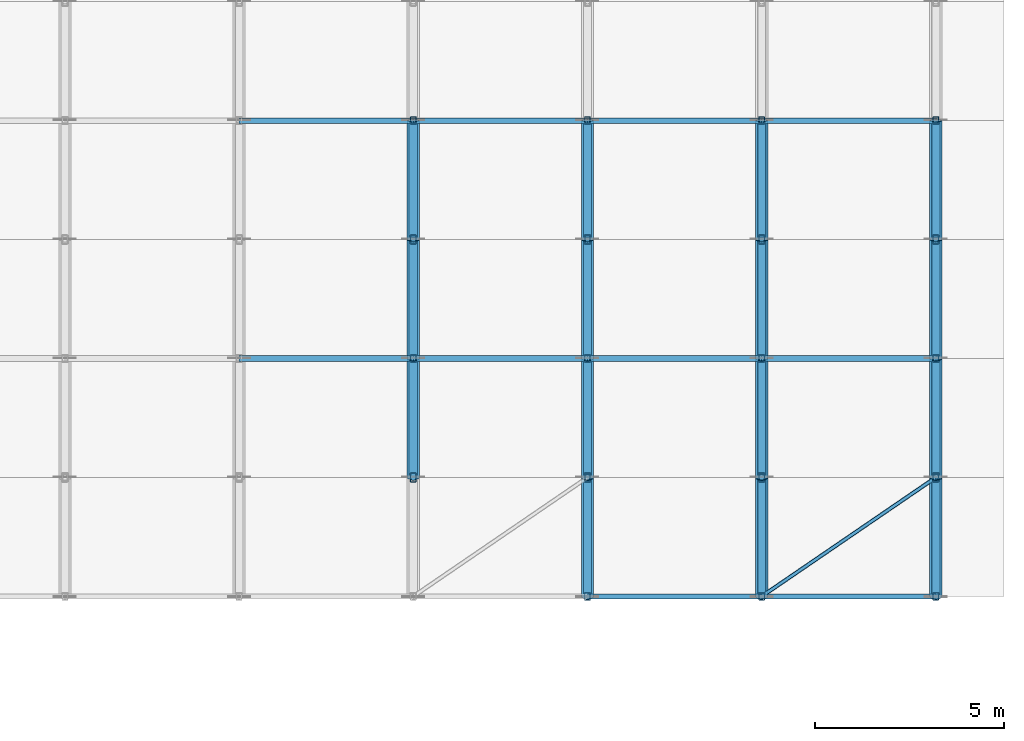
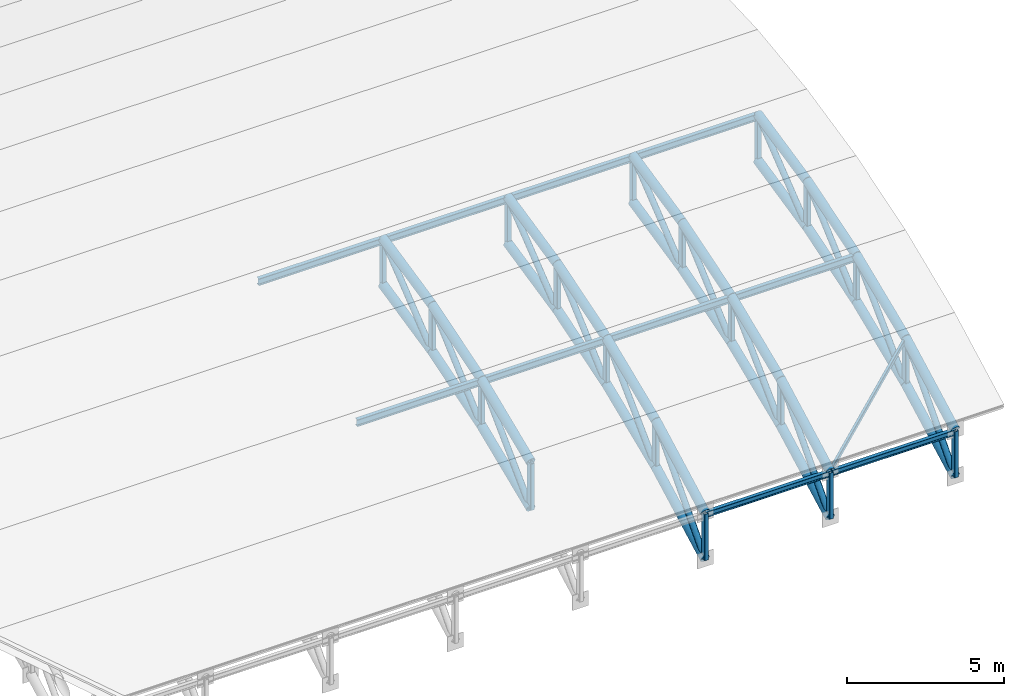
# One storey, part 40 of 98: 75 members.
"""IFC4 building model written with IfcOpenShell, lengths in metres."""

from ifc_helpers import new_model, si_unit, direction, frame, origin, origin_2d, place, context, subcontext, project, spatial, hollow_rectangle, hollow_circle, i_section, extrude, material, material_profile, profile_set, type_object, element, save


model = new_model("IFC4")

# Units and contexts
model_context = context("Model", 3, precision=1e-05, world=origin(), true_north=direction((0.0, 1.0)))
body_context = subcontext(model_context, "Body", "Model", "MODEL_VIEW")
ifc_project = project(units=[si_unit("LENGTHUNIT", "METRE"), si_unit("AREAUNIT", "SQUARE_METRE"), si_unit("VOLUMEUNIT", "CUBIC_METRE"), si_unit("PLANEANGLEUNIT", "RADIAN"), si_unit("MASSUNIT", "GRAM", prefix="KILO")], contexts=[model_context])

# Site, building, storey
site_placement = place(None, origin())
site = spatial("IfcSite", under=ifc_project, at=site_placement, CompositionType="ELEMENT")
building_placement = place(site_placement, origin())
building = spatial("IfcBuilding", under=site, at=building_placement, Name="Tlacozan Convention Centre", CompositionType="ELEMENT")
storey_placement = place(building_placement, frame((0.0, 0.0, 25.800048828125)))
storey = spatial("IfcBuildingStorey", under=building, at=storey_placement, Name="Roof", CompositionType="ELEMENT", Elevation=25.800048828125)

# Members
ifc_material_1 = material(Name="Steel ASTM A992 Grade 50", Category="steel")
ifc_material_profile_1 = material_profile(ifc_material_1, i_section(OverallWidth=0.14697265625, OverallDepth=0.261962890625, WebThickness=0.006591796875, FlangeThickness=0.01123046875, FilletRadius=0.008056640625, at=origin_2d()), Name="IR 254x38.5")
ifc_profile_set_1 = profile_set([ifc_material_profile_1], Name="Steel ASTM A992 Grade 50")
member_type_1 = type_object("IfcMemberType", Name="Plenary Acoustic Purlin IR 254x38.5", PredefinedType="PURLIN", material=ifc_profile_set_1)
for number, where, z_axis, x_axis, name in (
    (1, (159.800048828125, 24.783203125, -3.87939453125), (1.0, 0.0, 0.0), (0.0, 1.0, 0.0), "V3A Roof Truss Purlin 4.3"),
    (2, (159.800048828125, 31.066650390625, -2.2060546875), (1.0, 0.0, 0.0), (0.0, 1.0, 0.0), "V3A Roof Truss Purlin 4.5"),
):
    element("IfcMember", number, at=place(storey_placement, frame(where, z_axis=z_axis, x_axis=x_axis)), inside=storey, type_object=member_type_1, Name=name, PredefinedType="PURLIN", context=body_context, shape_type="SweptSolid", body=[
        extrude(i_section(OverallWidth=0.14697265625, OverallDepth=0.261962890625, WebThickness=0.006591796875, FlangeThickness=0.01123046875, FilletRadius=0.008056640625, at=origin_2d()), origin(), (0.0, 0.0, 1.0), 4.599853515625),
    ])
for number, where, z_axis, x_axis, name in (
    (3, (164.39990234375, 24.783203125, -3.87939453125), (1.0, 0.0, 0.0), (0.0, 1.0, 0.0), "V3A Roof Truss Purlin 5.3"),
    (4, (164.39990234375, 31.066650390625, -2.2060546875), (1.0, 0.0, 0.0), (0.0, 1.0, 0.0), "V3A Roof Truss Purlin 5.5"),
    (5, (169.0, 24.783203125, -3.87939453125), (1.0, 0.0, 0.0), (0.0, 1.0, 0.0), "V3A Roof Truss Purlin 6.3"),
    (6, (169.0, 31.066650390625, -2.2060546875), (1.0, 0.0, 0.0), (0.0, 1.0, 0.0), "V3A Roof Truss Purlin 6.5"),
):
    element("IfcMember", number, at=place(storey_placement, frame(where, z_axis=z_axis, x_axis=x_axis)), inside=storey, type_object=member_type_1, Name=name, PredefinedType="PURLIN", context=body_context, shape_type="SweptSolid", body=[
        extrude(i_section(OverallWidth=0.14697265625, OverallDepth=0.261962890625, WebThickness=0.006591796875, FlangeThickness=0.01123046875, FilletRadius=0.008056640625, at=origin_2d()), origin(), (0.0, 0.0, 1.0), 4.60009765625),
    ])
for number, where, z_axis, x_axis, name in (
    (7, (173.60009765625, 24.783203125, -3.87939453125), (1.0, 0.0, 0.0), (0.0, 1.0, 0.0), "V3A Roof Truss Purlin 7.3"),
    (8, (173.60009765625, 31.066650390625, -2.2060546875), (1.0, 0.0, 0.0), (0.0, 1.0, 0.0), "V3A Roof Truss Purlin 7.5"),
):
    element("IfcMember", number, at=place(storey_placement, frame(where, z_axis=z_axis, x_axis=x_axis)), inside=storey, type_object=member_type_1, Name=name, PredefinedType="PURLIN", context=body_context, shape_type="SweptSolid", body=[
        extrude(i_section(OverallWidth=0.14697265625, OverallDepth=0.261962890625, WebThickness=0.006591796875, FlangeThickness=0.01123046875, FilletRadius=0.008056640625, at=origin_2d()), origin(), (0.0, 0.0, 1.0), 4.599853515625),
    ])
ifc_material_2 = material(Name="Steel ASTM A500 Grade C", Category="steel")
ifc_material_profile_2 = material_profile(ifc_material_2, hollow_circle(Radius=0.161865234375, WallThickness=0.0126953125, at=origin_2d()), Name="OC 323.9x12.7")
ifc_profile_set_2 = profile_set([ifc_material_profile_2], Name="Steel ASTM A500 Grade C")
member_type_2 = type_object("IfcMemberType", Name="Plenary Arch Chord OC 323.9x12.7", PredefinedType="CHORD", material=ifc_profile_set_2)
for number, where, z_axis, x_axis, name in (
    (9, (164.39990234375, 21.6416015625, -5.124755859375), (0.0, 0.922941057271, 0.384941300464), (-1.0, 0.0, 0.0), "V3A Roof Truss 5 Top Chord 2"),
    (10, (164.39990234375, 21.6416015625, -6.9248046875), (0.0, 0.922941057271, 0.384941300464), (-1.0, 0.0, 0.0), "V3A Roof Truss 5 Bottom Chord 2"),
):
    element("IfcMember", number, at=place(storey_placement, frame(where, z_axis=z_axis, x_axis=x_axis)), inside=storey, type_object=member_type_2, Name=name, PredefinedType="CHORD", context=body_context, shape_type="SweptSolid", body=[
        extrude(hollow_circle(Radius=0.161865234375, WallThickness=0.0126953125, at=origin_2d()), origin(), (0.0, 0.0, 1.0), 3.40380859375),
    ])
for number, where, z_axis, x_axis, name in (
    (11, (164.39990234375, 24.783203125, -3.814453125), (0.0, 0.954132369199, 0.299385073186), (-1.0, 0.0, 0.0), "V3A Roof Truss 5 Top Chord 3"),
    (12, (164.39990234375, 24.783203125, -5.614501953125), (0.0, 0.954132369199, 0.299385073186), (-1.0, 0.0, 0.0), "V3A Roof Truss 5 Bottom Chord 3"),
):
    element("IfcMember", number, at=place(storey_placement, frame(where, z_axis=z_axis, x_axis=x_axis)), inside=storey, type_object=member_type_2, Name=name, PredefinedType="CHORD", context=body_context, shape_type="SweptSolid", body=[
        extrude(hollow_circle(Radius=0.161865234375, WallThickness=0.0126953125, at=origin_2d()), origin(), (0.0, 0.0, 1.0), 3.29296875),
    ])
for number, where, z_axis, x_axis, name in (
    (13, (164.39990234375, 27.925048828125, -2.82861328125), (0.0, 0.976866328427, 0.213850827415), (-1.0, 0.0, 0.0), "V3A Roof Truss 5 Top Chord 4"),
    (14, (164.39990234375, 27.925048828125, -4.628662109375), (0.0, 0.976866328427, 0.213850827415), (-1.0, 0.0, 0.0), "V3A Roof Truss 5 Bottom Chord 4"),
):
    element("IfcMember", number, at=place(storey_placement, frame(where, z_axis=z_axis, x_axis=x_axis)), inside=storey, type_object=member_type_2, Name=name, PredefinedType="CHORD", context=body_context, shape_type="SweptSolid", body=[
        extrude(hollow_circle(Radius=0.161865234375, WallThickness=0.0126953125, at=origin_2d()), origin(), (0.0, 0.0, 1.0), 3.216064453125),
    ])
for number, where, z_axis, x_axis, name in (
    (15, (169.0, 18.5, -6.800048828125), (0.0, 0.882379514235, 0.47053840742), (-1.0, 0.0, 0.0), "V3A Roof Truss 6 Top Chord 1"),
    (16, (169.0, 18.5, -8.60009765625), (0.0, 0.882379514235, 0.47053840742), (-1.0, 0.0, 0.0), "V3A Roof Truss 6 Bottom Chord 1"),
):
    element("IfcMember", number, at=place(storey_placement, frame(where, z_axis=z_axis, x_axis=x_axis)), inside=storey, type_object=member_type_2, Name=name, PredefinedType="CHORD", context=body_context, shape_type="SweptSolid", body=[
        extrude(hollow_circle(Radius=0.161865234375, WallThickness=0.0126953125, at=origin_2d()), origin(), (0.0, 0.0, 1.0), 3.560302734375),
    ])
for number, where, z_axis, x_axis, name in (
    (17, (169.0, 21.6416015625, -5.124755859375), (0.0, 0.922941057271, 0.384941300464), (-1.0, 0.0, 0.0), "V3A Roof Truss 6 Top Chord 2"),
    (18, (169.0, 21.6416015625, -6.9248046875), (0.0, 0.922941057271, 0.384941300464), (-1.0, 0.0, 0.0), "V3A Roof Truss 6 Bottom Chord 2"),
):
    element("IfcMember", number, at=place(storey_placement, frame(where, z_axis=z_axis, x_axis=x_axis)), inside=storey, type_object=member_type_2, Name=name, PredefinedType="CHORD", context=body_context, shape_type="SweptSolid", body=[
        extrude(hollow_circle(Radius=0.161865234375, WallThickness=0.0126953125, at=origin_2d()), origin(), (0.0, 0.0, 1.0), 3.40380859375),
    ])
for number, where, z_axis, x_axis, name in (
    (19, (169.0, 24.783203125, -3.814453125), (0.0, 0.954132369199, 0.299385073186), (-1.0, 0.0, 0.0), "V3A Roof Truss 6 Top Chord 3"),
    (20, (169.0, 24.783203125, -5.614501953125), (0.0, 0.954132369199, 0.299385073186), (-1.0, 0.0, 0.0), "V3A Roof Truss 6 Bottom Chord 3"),
):
    element("IfcMember", number, at=place(storey_placement, frame(where, z_axis=z_axis, x_axis=x_axis)), inside=storey, type_object=member_type_2, Name=name, PredefinedType="CHORD", context=body_context, shape_type="SweptSolid", body=[
        extrude(hollow_circle(Radius=0.161865234375, WallThickness=0.0126953125, at=origin_2d()), origin(), (0.0, 0.0, 1.0), 3.29296875),
    ])
for number, where, z_axis, x_axis, name in (
    (21, (169.0, 27.925048828125, -2.82861328125), (0.0, 0.976866328427, 0.213850827415), (-1.0, 0.0, 0.0), "V3A Roof Truss 6 Top Chord 4"),
    (22, (169.0, 27.925048828125, -4.628662109375), (0.0, 0.976866328427, 0.213850827415), (-1.0, 0.0, 0.0), "V3A Roof Truss 6 Bottom Chord 4"),
):
    element("IfcMember", number, at=place(storey_placement, frame(where, z_axis=z_axis, x_axis=x_axis)), inside=storey, type_object=member_type_2, Name=name, PredefinedType="CHORD", context=body_context, shape_type="SweptSolid", body=[
        extrude(hollow_circle(Radius=0.161865234375, WallThickness=0.0126953125, at=origin_2d()), origin(), (0.0, 0.0, 1.0), 3.216064453125),
    ])
for number, where, z_axis, x_axis, name in (
    (23, (173.60009765625, 18.5, -6.800048828125), (0.0, 0.882379514235, 0.47053840742), (-1.0, 0.0, 0.0), "V3A Roof Truss 7 Top Chord 1"),
    (24, (173.60009765625, 18.5, -8.60009765625), (0.0, 0.882379514235, 0.47053840742), (-1.0, 0.0, 0.0), "V3A Roof Truss 7 Bottom Chord 1"),
):
    element("IfcMember", number, at=place(storey_placement, frame(where, z_axis=z_axis, x_axis=x_axis)), inside=storey, type_object=member_type_2, Name=name, PredefinedType="CHORD", context=body_context, shape_type="SweptSolid", body=[
        extrude(hollow_circle(Radius=0.161865234375, WallThickness=0.0126953125, at=origin_2d()), origin(), (0.0, 0.0, 1.0), 3.560302734375),
    ])
for number, where, z_axis, x_axis, name in (
    (25, (173.60009765625, 21.6416015625, -5.124755859375), (0.0, 0.922941057271, 0.384941300464), (-1.0, 0.0, 0.0), "V3A Roof Truss 7 Top Chord 2"),
    (26, (173.60009765625, 21.6416015625, -6.9248046875), (0.0, 0.922941057271, 0.384941300464), (-1.0, 0.0, 0.0), "V3A Roof Truss 7 Bottom Chord 2"),
):
    element("IfcMember", number, at=place(storey_placement, frame(where, z_axis=z_axis, x_axis=x_axis)), inside=storey, type_object=member_type_2, Name=name, PredefinedType="CHORD", context=body_context, shape_type="SweptSolid", body=[
        extrude(hollow_circle(Radius=0.161865234375, WallThickness=0.0126953125, at=origin_2d()), origin(), (0.0, 0.0, 1.0), 3.40380859375),
    ])
for number, where, z_axis, x_axis, name in (
    (27, (173.60009765625, 24.783203125, -3.814453125), (0.0, 0.954132369199, 0.299385073186), (-1.0, 0.0, 0.0), "V3A Roof Truss 7 Top Chord 3"),
    (28, (173.60009765625, 24.783203125, -5.614501953125), (0.0, 0.954132369199, 0.299385073186), (-1.0, 0.0, 0.0), "V3A Roof Truss 7 Bottom Chord 3"),
):
    element("IfcMember", number, at=place(storey_placement, frame(where, z_axis=z_axis, x_axis=x_axis)), inside=storey, type_object=member_type_2, Name=name, PredefinedType="CHORD", context=body_context, shape_type="SweptSolid", body=[
        extrude(hollow_circle(Radius=0.161865234375, WallThickness=0.0126953125, at=origin_2d()), origin(), (0.0, 0.0, 1.0), 3.29296875),
    ])
for number, where, z_axis, x_axis, name in (
    (29, (173.60009765625, 27.925048828125, -2.82861328125), (0.0, 0.976866328427, 0.213850827415), (-1.0, 0.0, 0.0), "V3A Roof Truss 7 Top Chord 4"),
    (30, (173.60009765625, 27.925048828125, -4.628662109375), (0.0, 0.976866328427, 0.213850827415), (-1.0, 0.0, 0.0), "V3A Roof Truss 7 Bottom Chord 4"),
):
    element("IfcMember", number, at=place(storey_placement, frame(where, z_axis=z_axis, x_axis=x_axis)), inside=storey, type_object=member_type_2, Name=name, PredefinedType="CHORD", context=body_context, shape_type="SweptSolid", body=[
        extrude(hollow_circle(Radius=0.161865234375, WallThickness=0.0126953125, at=origin_2d()), origin(), (0.0, 0.0, 1.0), 3.216064453125),
    ])
for number, where, z_axis, x_axis, name in (
    (31, (178.199951171875, 18.5, -6.800048828125), (0.0, 0.882379514235, 0.47053840742), (-1.0, 0.0, 0.0), "V3A Roof Truss 8 Top Chord 1"),
    (32, (178.199951171875, 18.5, -8.60009765625), (0.0, 0.882379514235, 0.47053840742), (-1.0, 0.0, 0.0), "V3A Roof Truss 8 Bottom Chord 1"),
):
    element("IfcMember", number, at=place(storey_placement, frame(where, z_axis=z_axis, x_axis=x_axis)), inside=storey, type_object=member_type_2, Name=name, PredefinedType="CHORD", context=body_context, shape_type="SweptSolid", body=[
        extrude(hollow_circle(Radius=0.161865234375, WallThickness=0.0126953125, at=origin_2d()), origin(), (0.0, 0.0, 1.0), 3.560302734375),
    ])
for number, where, z_axis, x_axis, name in (
    (33, (178.199951171875, 21.6416015625, -5.124755859375), (0.0, 0.922941057271, 0.384941300464), (-1.0, 0.0, 0.0), "V3A Roof Truss 8 Top Chord 2"),
    (34, (178.199951171875, 21.6416015625, -6.9248046875), (0.0, 0.922941057271, 0.384941300464), (-1.0, 0.0, 0.0), "V3A Roof Truss 8 Bottom Chord 2"),
):
    element("IfcMember", number, at=place(storey_placement, frame(where, z_axis=z_axis, x_axis=x_axis)), inside=storey, type_object=member_type_2, Name=name, PredefinedType="CHORD", context=body_context, shape_type="SweptSolid", body=[
        extrude(hollow_circle(Radius=0.161865234375, WallThickness=0.0126953125, at=origin_2d()), origin(), (0.0, 0.0, 1.0), 3.40380859375),
    ])
for number, where, z_axis, x_axis, name in (
    (35, (178.199951171875, 24.783203125, -3.814453125), (0.0, 0.954132369199, 0.299385073186), (-1.0, 0.0, 0.0), "V3A Roof Truss 8 Top Chord 3"),
    (36, (178.199951171875, 24.783203125, -5.614501953125), (0.0, 0.954132369199, 0.299385073186), (-1.0, 0.0, 0.0), "V3A Roof Truss 8 Bottom Chord 3"),
):
    element("IfcMember", number, at=place(storey_placement, frame(where, z_axis=z_axis, x_axis=x_axis)), inside=storey, type_object=member_type_2, Name=name, PredefinedType="CHORD", context=body_context, shape_type="SweptSolid", body=[
        extrude(hollow_circle(Radius=0.161865234375, WallThickness=0.0126953125, at=origin_2d()), origin(), (0.0, 0.0, 1.0), 3.29296875),
    ])
for number, where, z_axis, x_axis, name in (
    (37, (178.199951171875, 27.925048828125, -2.82861328125), (0.0, 0.976866328427, 0.213850827415), (-1.0, 0.0, 0.0), "V3A Roof Truss 8 Top Chord 4"),
    (38, (178.199951171875, 27.925048828125, -4.628662109375), (0.0, 0.976866328427, 0.213850827415), (-1.0, 0.0, 0.0), "V3A Roof Truss 8 Bottom Chord 4"),
):
    element("IfcMember", number, at=place(storey_placement, frame(where, z_axis=z_axis, x_axis=x_axis)), inside=storey, type_object=member_type_2, Name=name, PredefinedType="CHORD", context=body_context, shape_type="SweptSolid", body=[
        extrude(hollow_circle(Radius=0.161865234375, WallThickness=0.0126953125, at=origin_2d()), origin(), (0.0, 0.0, 1.0), 3.216064453125),
    ])
ifc_material_profile_3 = material_profile(ifc_material_2, hollow_circle(Radius=0.109619140625, WallThickness=0.009521484375, at=origin_2d()), Name="OC 219.1x9.5")
ifc_profile_set_3 = profile_set([ifc_material_profile_3], Name="Steel ASTM A500 Grade C")
member_type_3 = type_object("IfcMemberType", Name="Plenary Web Diagonal OC 219.1x9.5", PredefinedType="BRACE", material=ifc_profile_set_3)
member_1_placement = place(storey_placement, frame((164.39990234375, 21.6416015625, -6.9248046875), z_axis=(0.0, 0.710632333284, 0.703563562794), x_axis=(-1.0, 0.0, 0.0)))
element("IfcMember", 39, at=member_1_placement, inside=storey, type_object=member_type_3, Name="V3A Roof Truss 5 Web Diagonal 2", PredefinedType="BRACE", context=body_context, shape_type="SweptSolid", body=[
    extrude(hollow_circle(Radius=0.109619140625, WallThickness=0.009521484375, at=origin_2d()), origin(), (0.0, 0.0, 1.0), 4.4208984375),
])
member_2_placement = place(storey_placement, frame((164.39990234375, 24.783203125, -5.614501953125), z_axis=(0.0, 0.748220333314, 0.663450324302), x_axis=(-1.0, 0.0, 0.0)))
element("IfcMember", 40, at=member_2_placement, inside=storey, type_object=member_type_3, Name="V3A Roof Truss 5 Web Diagonal 3", PredefinedType="BRACE", context=body_context, shape_type="SweptSolid", body=[
    extrude(hollow_circle(Radius=0.109619140625, WallThickness=0.009521484375, at=origin_2d()), origin(), (0.0, 0.0, 1.0), 4.198974609375),
])
member_3_placement = place(storey_placement, frame((164.39990234375, 27.925048828125, -4.628662109375), z_axis=(0.0, 0.783961811964, 0.620809050661), x_axis=(-1.0, 0.0, 0.0)))
element("IfcMember", 41, at=member_3_placement, inside=storey, type_object=member_type_3, Name="V3A Roof Truss 5 Web Diagonal 4", PredefinedType="BRACE", context=body_context, shape_type="SweptSolid", body=[
    extrude(hollow_circle(Radius=0.109619140625, WallThickness=0.009521484375, at=origin_2d()), origin(), (0.0, 0.0, 1.0), 4.00732421875),
])
member_4_placement = place(storey_placement, frame((169.0, 18.5, -8.60009765625), z_axis=(0.0, 0.67058986077, 0.741828308056), x_axis=(-1.0, 0.0, 0.0)))
element("IfcMember", 42, at=member_4_placement, inside=storey, type_object=member_type_3, Name="V3A Roof Truss 6 Web Diagonal 1", PredefinedType="BRACE", context=body_context, shape_type="SweptSolid", body=[
    extrude(hollow_circle(Radius=0.109619140625, WallThickness=0.009521484375, at=origin_2d()), origin(), (0.0, 0.0, 1.0), 4.684814453125),
])
member_5_placement = place(storey_placement, frame((169.0, 21.6416015625, -6.9248046875), z_axis=(0.0, 0.710632333284, 0.703563562794), x_axis=(-1.0, 0.0, 0.0)))
element("IfcMember", 43, at=member_5_placement, inside=storey, type_object=member_type_3, Name="V3A Roof Truss 6 Web Diagonal 2", PredefinedType="BRACE", context=body_context, shape_type="SweptSolid", body=[
    extrude(hollow_circle(Radius=0.109619140625, WallThickness=0.009521484375, at=origin_2d()), origin(), (0.0, 0.0, 1.0), 4.4208984375),
])
member_6_placement = place(storey_placement, frame((169.0, 24.783203125, -5.614501953125), z_axis=(0.0, 0.748220333314, 0.663450324302), x_axis=(-1.0, 0.0, 0.0)))
element("IfcMember", 44, at=member_6_placement, inside=storey, type_object=member_type_3, Name="V3A Roof Truss 6 Web Diagonal 3", PredefinedType="BRACE", context=body_context, shape_type="SweptSolid", body=[
    extrude(hollow_circle(Radius=0.109619140625, WallThickness=0.009521484375, at=origin_2d()), origin(), (0.0, 0.0, 1.0), 4.198974609375),
])
member_7_placement = place(storey_placement, frame((169.0, 27.925048828125, -4.628662109375), z_axis=(0.0, 0.783961811964, 0.620809050661), x_axis=(-1.0, 0.0, 0.0)))
element("IfcMember", 45, at=member_7_placement, inside=storey, type_object=member_type_3, Name="V3A Roof Truss 6 Web Diagonal 4", PredefinedType="BRACE", context=body_context, shape_type="SweptSolid", body=[
    extrude(hollow_circle(Radius=0.109619140625, WallThickness=0.009521484375, at=origin_2d()), origin(), (0.0, 0.0, 1.0), 4.00732421875),
])
member_8_placement = place(storey_placement, frame((173.60009765625, 18.5, -8.60009765625), z_axis=(0.0, 0.67058986077, 0.741828308056), x_axis=(-1.0, 0.0, 0.0)))
element("IfcMember", 46, at=member_8_placement, inside=storey, type_object=member_type_3, Name="V3A Roof Truss 7 Web Diagonal 1", PredefinedType="BRACE", context=body_context, shape_type="SweptSolid", body=[
    extrude(hollow_circle(Radius=0.109619140625, WallThickness=0.009521484375, at=origin_2d()), origin(), (0.0, 0.0, 1.0), 4.684814453125),
])
member_9_placement = place(storey_placement, frame((173.60009765625, 21.6416015625, -6.9248046875), z_axis=(0.0, 0.710632333284, 0.703563562794), x_axis=(-1.0, 0.0, 0.0)))
element("IfcMember", 47, at=member_9_placement, inside=storey, type_object=member_type_3, Name="V3A Roof Truss 7 Web Diagonal 2", PredefinedType="BRACE", context=body_context, shape_type="SweptSolid", body=[
    extrude(hollow_circle(Radius=0.109619140625, WallThickness=0.009521484375, at=origin_2d()), origin(), (0.0, 0.0, 1.0), 4.4208984375),
])
member_10_placement = place(storey_placement, frame((173.60009765625, 24.783203125, -5.614501953125), z_axis=(0.0, 0.748220333314, 0.663450324302), x_axis=(-1.0, 0.0, 0.0)))
element("IfcMember", 48, at=member_10_placement, inside=storey, type_object=member_type_3, Name="V3A Roof Truss 7 Web Diagonal 3", PredefinedType="BRACE", context=body_context, shape_type="SweptSolid", body=[
    extrude(hollow_circle(Radius=0.109619140625, WallThickness=0.009521484375, at=origin_2d()), origin(), (0.0, 0.0, 1.0), 4.198974609375),
])
member_11_placement = place(storey_placement, frame((173.60009765625, 27.925048828125, -4.628662109375), z_axis=(0.0, 0.783961811964, 0.620809050661), x_axis=(-1.0, 0.0, 0.0)))
element("IfcMember", 49, at=member_11_placement, inside=storey, type_object=member_type_3, Name="V3A Roof Truss 7 Web Diagonal 4", PredefinedType="BRACE", context=body_context, shape_type="SweptSolid", body=[
    extrude(hollow_circle(Radius=0.109619140625, WallThickness=0.009521484375, at=origin_2d()), origin(), (0.0, 0.0, 1.0), 4.00732421875),
])
member_12_placement = place(storey_placement, frame((178.199951171875, 18.5, -8.60009765625), z_axis=(0.0, 0.67058986077, 0.741828308056), x_axis=(-1.0, 0.0, 0.0)))
element("IfcMember", 50, at=member_12_placement, inside=storey, type_object=member_type_3, Name="V3A Roof Truss 8 Web Diagonal 1", PredefinedType="BRACE", context=body_context, shape_type="SweptSolid", body=[
    extrude(hollow_circle(Radius=0.109619140625, WallThickness=0.009521484375, at=origin_2d()), origin(), (0.0, 0.0, 1.0), 4.684814453125),
])
member_13_placement = place(storey_placement, frame((178.199951171875, 21.6416015625, -6.9248046875), z_axis=(0.0, 0.710632333284, 0.703563562794), x_axis=(-1.0, 0.0, 0.0)))
element("IfcMember", 51, at=member_13_placement, inside=storey, type_object=member_type_3, Name="V3A Roof Truss 8 Web Diagonal 2", PredefinedType="BRACE", context=body_context, shape_type="SweptSolid", body=[
    extrude(hollow_circle(Radius=0.109619140625, WallThickness=0.009521484375, at=origin_2d()), origin(), (0.0, 0.0, 1.0), 4.4208984375),
])
member_14_placement = place(storey_placement, frame((178.199951171875, 24.783203125, -5.614501953125), z_axis=(0.0, 0.748220333314, 0.663450324302), x_axis=(-1.0, 0.0, 0.0)))
element("IfcMember", 52, at=member_14_placement, inside=storey, type_object=member_type_3, Name="V3A Roof Truss 8 Web Diagonal 3", PredefinedType="BRACE", context=body_context, shape_type="SweptSolid", body=[
    extrude(hollow_circle(Radius=0.109619140625, WallThickness=0.009521484375, at=origin_2d()), origin(), (0.0, 0.0, 1.0), 4.198974609375),
])
member_15_placement = place(storey_placement, frame((178.199951171875, 27.925048828125, -4.628662109375), z_axis=(0.0, 0.783961811964, 0.620809050661), x_axis=(-1.0, 0.0, 0.0)))
element("IfcMember", 53, at=member_15_placement, inside=storey, type_object=member_type_3, Name="V3A Roof Truss 8 Web Diagonal 4", PredefinedType="BRACE", context=body_context, shape_type="SweptSolid", body=[
    extrude(hollow_circle(Radius=0.109619140625, WallThickness=0.009521484375, at=origin_2d()), origin(), (0.0, 0.0, 1.0), 4.00732421875),
])
ifc_material_profile_4 = material_profile(ifc_material_2, hollow_rectangle(XDim=0.15234375, YDim=0.203125, WallThickness=0.009521484375, InnerFilletRadius=0.009521484375, OuterFilletRadius=0.01904296875, at=origin_2d()), Name="OR 203x152x9.5")
ifc_profile_set_4 = profile_set([ifc_material_profile_4], Name="Steel ASTM A500 Grade C")
member_type_4 = type_object("IfcMemberType", Name="Plenary Web Strut OR 203x152x9.5", PredefinedType="STRUT", material=ifc_profile_set_4)
for number, where, z_axis, x_axis, name in (
    (54, (164.39990234375, 24.783203125, -5.614501953125), (0.0, 0.0, 1.0), (1.0, 0.0, 0.0), "V3A Roof Truss 5 Vertical Strut 3"),
    (55, (164.39990234375, 31.066650390625, -3.94091796875), (0.0, 0.0, 1.0), (1.0, 0.0, 0.0), "V3A Roof Truss 5 Vertical Strut 5"),
    (56, (169.0, 18.5, -8.60009765625), (0.0, 0.0, 1.0), (1.0, 0.0, 0.0), "V3A Roof Truss 6 Vertical Strut 1"),
    (57, (169.0, 24.783203125, -5.614501953125), (0.0, 0.0, 1.0), (1.0, 0.0, 0.0), "V3A Roof Truss 6 Vertical Strut 3"),
    (58, (169.0, 31.066650390625, -3.94091796875), (0.0, 0.0, 1.0), (1.0, 0.0, 0.0), "V3A Roof Truss 6 Vertical Strut 5"),
    (59, (173.60009765625, 18.5, -8.60009765625), (0.0, 0.0, 1.0), (1.0, 0.0, 0.0), "V3A Roof Truss 7 Vertical Strut 1"),
    (60, (173.60009765625, 24.783203125, -5.614501953125), (0.0, 0.0, 1.0), (1.0, 0.0, 0.0), "V3A Roof Truss 7 Vertical Strut 3"),
    (61, (173.60009765625, 31.066650390625, -3.94091796875), (0.0, 0.0, 1.0), (1.0, 0.0, 0.0), "V3A Roof Truss 7 Vertical Strut 5"),
    (62, (178.199951171875, 18.5, -8.60009765625), (0.0, 0.0, 1.0), (1.0, 0.0, 0.0), "V3A Roof Truss 8 Vertical Strut 1"),
    (63, (178.199951171875, 24.783203125, -5.614501953125), (0.0, 0.0, 1.0), (1.0, 0.0, 0.0), "V3A Roof Truss 8 Vertical Strut 3"),
    (64, (178.199951171875, 31.066650390625, -3.94091796875), (0.0, 0.0, 1.0), (1.0, 0.0, 0.0), "V3A Roof Truss 8 Vertical Strut 5"),
):
    element("IfcMember", number, at=place(storey_placement, frame(where, z_axis=z_axis, x_axis=x_axis)), inside=storey, type_object=member_type_4, Name=name, PredefinedType="STRUT", context=body_context, shape_type="SweptSolid", body=[
        extrude(hollow_rectangle(XDim=0.15234375, YDim=0.203125, WallThickness=0.009521484375, InnerFilletRadius=0.009521484375, OuterFilletRadius=0.01904296875, at=origin_2d()), origin(), (0.0, 0.0, 1.0), 1.800048828125),
    ])
ifc_material_profile_5 = material_profile(ifc_material_2, hollow_rectangle(XDim=0.1015625, YDim=0.15234375, WallThickness=0.009521484375, InnerFilletRadius=0.009521484375, OuterFilletRadius=0.01904296875, at=origin_2d()), Name="OR 152x102x9.5")
ifc_profile_set_5 = profile_set([ifc_material_profile_5], Name="Steel ASTM A500 Grade C")
member_type_5 = type_object("IfcMemberType", Name="Roof Plan Brace OR 152x102x9.5", PredefinedType="BRACE", material=ifc_profile_set_5)
member_16_placement = place(storey_placement, frame((173.60009765625, 18.5, -6.800048828125), z_axis=(0.790790474351, 0.540092979351, 0.288010415318), x_axis=(-0.563990805831, 0.825781067195, 0.0)))
element("IfcMember", 65, at=member_16_placement, inside=storey, type_object=member_type_5, Name="V3A Roof Truss Plan Brace 7.1", PredefinedType="BRACE", context=body_context, shape_type="SweptSolid", body=[
    extrude(hollow_rectangle(XDim=0.1015625, YDim=0.15234375, WallThickness=0.009521484375, InnerFilletRadius=0.009521484375, OuterFilletRadius=0.01904296875, at=origin_2d()), origin(), (0.0, 0.0, 1.0), 5.81689453125),
])
ifc_material_profile_6 = material_profile(ifc_material_1, i_section(OverallWidth=0.134033203125, OverallDepth=0.2099609375, WebThickness=0.00634765625, FlangeThickness=0.01025390625, FilletRadius=0.008056640625, at=origin_2d()), Name="IR 203x31.3")
ifc_profile_set_6 = profile_set([ifc_material_profile_6], Name="Steel ASTM A992 Grade 50")
member_type_6 = type_object("IfcMemberType", Name="Secondary Eave Purlin IR 203x31.3", PredefinedType="PURLIN", material=ifc_profile_set_6)
member_17_placement = place(storey_placement, frame((169.0, 18.5, -6.864990234375), z_axis=(1.0, 0.0, 0.0), x_axis=(0.0, 1.0, 0.0)))
element("IfcMember", 66, at=member_17_placement, inside=storey, type_object=member_type_6, Name="V3A Roof Truss Purlin 6.1", PredefinedType="PURLIN", context=body_context, shape_type="SweptSolid", body=[
    extrude(i_section(OverallWidth=0.134033203125, OverallDepth=0.2099609375, WebThickness=0.00634765625, FlangeThickness=0.01025390625, FilletRadius=0.008056640625, at=origin_2d()), origin(), (0.0, 0.0, 1.0), 4.60009765625),
])
member_18_placement = place(storey_placement, frame((173.60009765625, 18.5, -6.864990234375), z_axis=(1.0, 0.0, 0.0), x_axis=(0.0, 1.0, 0.0)))
element("IfcMember", 67, at=member_18_placement, inside=storey, type_object=member_type_6, Name="V3A Roof Truss Purlin 7.1", PredefinedType="PURLIN", context=body_context, shape_type="SweptSolid", body=[
    extrude(i_section(OverallWidth=0.134033203125, OverallDepth=0.2099609375, WebThickness=0.00634765625, FlangeThickness=0.01025390625, FilletRadius=0.008056640625, at=origin_2d()), origin(), (0.0, 0.0, 1.0), 4.599853515625),
])
ifc_material_profile_7 = material_profile(ifc_material_2, hollow_rectangle(XDim=0.15234375, YDim=0.25390625, WallThickness=0.0126953125, InnerFilletRadius=0.0126953125, OuterFilletRadius=0.02490234375, at=origin_2d()), Name="OR 254x152x12.7")
ifc_profile_set_7 = profile_set([ifc_material_profile_7], Name="Steel ASTM A500 Grade C")
member_type_7 = type_object("IfcMemberType", Name="Truss Secondary Strut OR 254x152x12.7", PredefinedType="STRUT", material=ifc_profile_set_7)
for number, where, z_axis, x_axis, name in (
    (68, (164.39990234375, 21.6416015625, -6.9248046875), (0.0, 0.0, 1.0), (1.0, 0.0, 0.0), "V3A Roof Truss 5 Vertical Strut 2"),
    (69, (164.39990234375, 27.925048828125, -4.628662109375), (0.0, 0.0, 1.0), (1.0, 0.0, 0.0), "V3A Roof Truss 5 Vertical Strut 4"),
    (70, (169.0, 21.6416015625, -6.9248046875), (0.0, 0.0, 1.0), (1.0, 0.0, 0.0), "V3A Roof Truss 6 Vertical Strut 2"),
    (71, (169.0, 27.925048828125, -4.628662109375), (0.0, 0.0, 1.0), (1.0, 0.0, 0.0), "V3A Roof Truss 6 Vertical Strut 4"),
    (72, (173.60009765625, 21.6416015625, -6.9248046875), (0.0, 0.0, 1.0), (1.0, 0.0, 0.0), "V3A Roof Truss 7 Vertical Strut 2"),
    (73, (173.60009765625, 27.925048828125, -4.628662109375), (0.0, 0.0, 1.0), (1.0, 0.0, 0.0), "V3A Roof Truss 7 Vertical Strut 4"),
    (74, (178.199951171875, 21.6416015625, -6.9248046875), (0.0, 0.0, 1.0), (1.0, 0.0, 0.0), "V3A Roof Truss 8 Vertical Strut 2"),
    (75, (178.199951171875, 27.925048828125, -4.628662109375), (0.0, 0.0, 1.0), (1.0, 0.0, 0.0), "V3A Roof Truss 8 Vertical Strut 4"),
):
    element("IfcMember", number, at=place(storey_placement, frame(where, z_axis=z_axis, x_axis=x_axis)), inside=storey, type_object=member_type_7, Name=name, PredefinedType="STRUT", context=body_context, shape_type="SweptSolid", body=[
        extrude(hollow_rectangle(XDim=0.15234375, YDim=0.25390625, WallThickness=0.0126953125, InnerFilletRadius=0.0126953125, OuterFilletRadius=0.02490234375, at=origin_2d()), origin(), (0.0, 0.0, 1.0), 1.800048828125),
    ])

save(model, "model.ifc")
